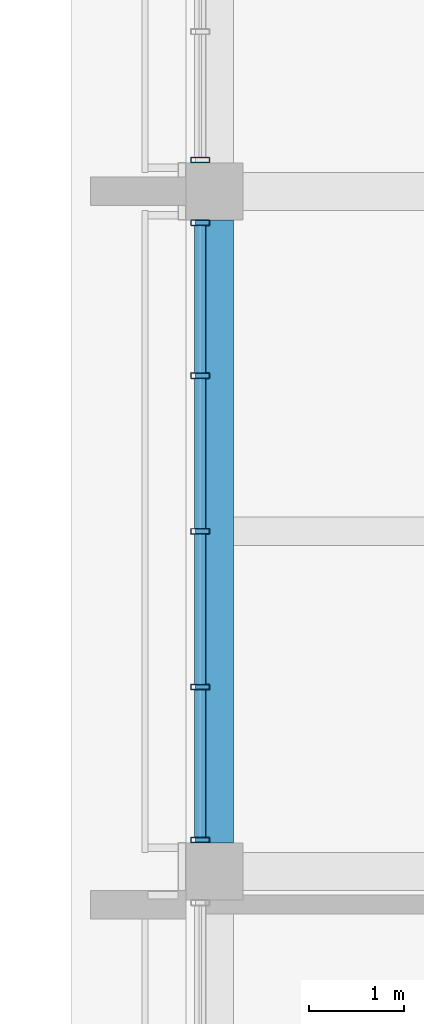
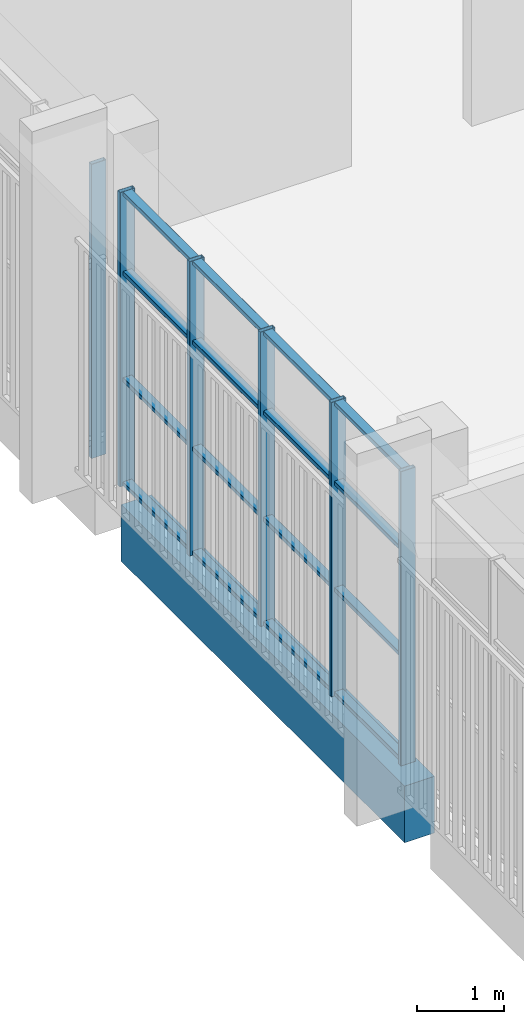
# One storey, part 41 of 125: 22 members, 1 beam, 2 elements without a shape of their own.
"""IFC4 building model written with IfcOpenShell, lengths in metres."""

import ifcopenshell
import ifcopenshell.guid

model = None  # the IFC model being written
_history = None  # IfcOwnerHistory: only IFC2X3 demands one
_inside = {}  # id of a spatial element -> (the spatial element, [elements in it])
_under = {}  # id of a project, library or spatial element -> (it, [spatial elements below it])
_declared = {}  # id of a project -> (the project, [libraries it declares])
_typed = {}  # id of a type object -> (the type object, [elements of that type])
_made_of = {}  # id of a material, layer set ... -> (it, [elements and type objects made of it])


def new_model(schema):
    """Start an empty IFC model of exactly this schema.

    Asked for "IFC4X3", IfcOpenShell would pick the latest addendum, in which some entities
    have other attributes; the version numbers below select the first issue.
    IFC2X3 requires an IfcOwnerHistory on every rooted entity: one is made here for all.
    """
    global model, _history
    if schema == "IFC4X3":
        model = ifcopenshell.file(schema_version=(4, 3, 0, 0))
    else:
        model = ifcopenshell.file(schema=schema)
    _inside.clear()
    _under.clear()
    _declared.clear()
    _typed.clear()
    _made_of.clear()
    _history = None
    if model.schema == "IFC2X3":
        org = make("IfcOrganization", Name="unknown")
        user = make(
            "IfcPersonAndOrganization",
            ThePerson=make("IfcPerson", FamilyName="unknown"),
            TheOrganization=org,
        )
        app = make(
            "IfcApplication",
            ApplicationDeveloper=org,
            Version="unknown",
            ApplicationFullName="unknown",
            ApplicationIdentifier="unknown",
        )
        _history = make(
            "IfcOwnerHistory",
            OwningUser=user,
            OwningApplication=app,
            ChangeAction="ADDED",
            CreationDate=0,
        )
    return model


def make(cls, **values):
    """One entity of the class cls with the attributes given. An attribute that is None is left unset."""
    return model.create_entity(
        cls, **{name: value for name, value in values.items() if value is not None}
    )


def rooted(cls, **values):
    """An entity with a GlobalId (a new one), such as an element, a storey or a relation."""
    return make(cls, GlobalId=ifcopenshell.guid.new(), OwnerHistory=_history, **values)


def si_unit(unit_type, name, prefix=None):
    """IfcSIUnit, for example si_unit("LENGTHUNIT", "METRE", prefix="MILLI")."""
    return make("IfcSIUnit", UnitType=unit_type, Prefix=prefix, Name=name)


def assignment(units):
    """IfcUnitAssignment: the units of a project."""
    return None if units is None else make("IfcUnitAssignment", Units=units)


def point(xyz):
    """IfcCartesianPoint."""
    return None if xyz is None else make("IfcCartesianPoint", Coordinates=xyz)


def direction(xyz):
    """IfcDirection."""
    return None if xyz is None else make("IfcDirection", DirectionRatios=xyz)


def frame(location, z_axis=None, x_axis=None):
    """IfcAxis2Placement3D, a coordinate frame: its origin and axes. An axis left out is left unset."""
    return make(
        "IfcAxis2Placement3D",
        Location=point(location),
        Axis=direction(z_axis),
        RefDirection=direction(x_axis),
    )


def frame_2d(location, x_axis=None):
    """IfcAxis2Placement2D, a coordinate frame in the plane: its origin and x axis."""
    return make(
        "IfcAxis2Placement2D", Location=point(location), RefDirection=direction(x_axis)
    )


def origin():
    """The frame at (0, 0, 0) with its axes left unset."""
    return frame((0.0, 0.0, 0.0))


def origin_2d():
    """The frame at (0, 0) in the plane with its x axis left unset."""
    return frame_2d((0.0, 0.0))


def place(relative_to, where):
    """IfcLocalPlacement: puts the frame where relative to a parent placement (None: the world)."""
    return make(
        "IfcLocalPlacement", PlacementRelTo=relative_to, RelativePlacement=where
    )


def context(
    kind, dimensions, precision=None, world=None, true_north=None, identifier=None
):
    """IfcGeometricRepresentationContext, for example the 3D "Model" context."""
    return make(
        "IfcGeometricRepresentationContext",
        ContextIdentifier=identifier,
        ContextType=kind,
        CoordinateSpaceDimension=dimensions,
        Precision=precision,
        WorldCoordinateSystem=world,
        TrueNorth=true_north,
    )


def subcontext(parent, identifier, kind, view, scale=None):
    """IfcGeometricRepresentationSubContext, for example "Body" below "Model"."""
    return make(
        "IfcGeometricRepresentationSubContext",
        ContextIdentifier=identifier,
        ContextType=kind,
        ParentContext=parent,
        TargetScale=scale,
        TargetView=view,
    )


def project(units=None, contexts=None):
    """IfcProject with its units and contexts."""
    return rooted(
        "IfcProject",
        Name="project",
        RepresentationContexts=contexts,
        UnitsInContext=assignment(units),
    )


def spatial(cls, under=None, at=None, **own):
    """A site, building, storey or space (cls), placed at a placement, below another one or the project."""
    s = rooted(cls, ObjectPlacement=at, **own)
    if under is not None:
        _under.setdefault(under.id(), (under, []))[1].append(s)
    return s


def profile(cls, at=None, kind="AREA", **sizes):
    """A parametric profile (cls). Its sizes go by their IFC names, for example OverallWidth=200.0."""
    return make(cls, ProfileType=kind, Position=at, **sizes)


def rectangle(**sizes):
    """IfcRectangleProfileDef."""
    return profile("IfcRectangleProfileDef", **sizes)


def hollow_rectangle(**sizes):
    """IfcRectangleHollowProfileDef."""
    return profile("IfcRectangleHollowProfileDef", **sizes)


def extrude(swept, where, along, depth):
    """IfcExtrudedAreaSolid: the profile swept, set in the frame where, extruded along a direction by depth."""
    return make(
        "IfcExtrudedAreaSolid",
        SweptArea=swept,
        Position=where,
        ExtrudedDirection=direction(along),
        Depth=depth,
    )


def shape(context_of_items, identifier, shape_type, items):
    """IfcShapeRepresentation: the items that make up one representation, for example the "Body"."""
    return make(
        "IfcShapeRepresentation",
        ContextOfItems=context_of_items,
        RepresentationIdentifier=identifier,
        RepresentationType=shape_type,
        Items=items,
    )


def material(Name=None, Category=None):
    """IfcMaterial."""
    return make("IfcMaterial", Name=Name, Category=Category)


def material_profile(
    of_material, cross_section, Name=None, Category=None, Priority=None
):
    """IfcMaterialProfile: a cross section and its material."""
    return make(
        "IfcMaterialProfile",
        Name=Name,
        Material=of_material,
        Profile=cross_section,
        Priority=Priority,
        Category=Category,
    )


def profile_set(profiles, Name=None, composite=None):
    """IfcMaterialProfileSet."""
    return make(
        "IfcMaterialProfileSet",
        Name=Name,
        MaterialProfiles=profiles,
        CompositeProfile=composite,
    )


def made_of(thing, what):
    """Note that an element or type object is made of a material, layer set ...; save() writes the relation."""
    if what is not None:
        _made_of.setdefault(what.id(), (what, []))[1].append(thing)
    return thing


def type_object(cls, material=None, **own):
    """A type object (cls), such as IfcWallType, which elements share."""
    return made_of(rooted(cls, **own), material)


def element(
    cls,
    number,
    at=None,
    inside=None,
    cuts=None,
    type_object=None,
    material=None,
    context=None,
    identifier="Body",
    shape_type=None,
    held_by="IfcProductDefinitionShape",
    body=None,
    shapes=None,
    **own,
):
    """One element of the class cls, such as IfcWall. Its Tag is "e" and its number.

    at: its placement. inside: the storey or other place that contains it. cuts: it is an
    opening in that element (IfcRelVoidsElement). A single representation is given by context,
    identifier, shape_type and body (its items); several are given by shapes. held_by: the class
    of the entity that holds the representations. save() writes the other relations.
    """
    e = rooted(cls, Tag="e%d" % number, ObjectPlacement=at, **own)
    if body is not None:
        shapes = [shape(context, identifier, shape_type, body)]
    if shapes is not None:
        e.Representation = make(held_by, Representations=shapes)
    if inside is not None:
        _inside.setdefault(inside.id(), (inside, []))[1].append(e)
    if cuts is not None:
        rooted(
            "IfcRelVoidsElement", RelatingBuildingElement=cuts, RelatedOpeningElement=e
        )
    if type_object is not None:
        _typed.setdefault(type_object.id(), (type_object, []))[1].append(e)
    return made_of(e, material)


def aggregate(whole, parts):
    """IfcRelAggregates: a whole, such as a stair, and the parts it consists of."""
    return rooted("IfcRelAggregates", RelatingObject=whole, RelatedObjects=parts)


def save(model, path):
    """Write the relations noted so far, then the file.

    IfcRelAggregates (storeys below a building ...), IfcRelContainedInSpatialStructure (elements
    in a storey), IfcRelDefinesByType, IfcRelAssociatesMaterial and IfcRelDeclares: one each for
    every whole, place, type object, material and project.
    """
    for whole, parts in _under.values():
        aggregate(whole, parts)
    for where, things in _inside.values():
        rooted(
            "IfcRelContainedInSpatialStructure",
            RelatedElements=things,
            RelatingStructure=where,
        )
    for kind, things in _typed.values():
        rooted("IfcRelDefinesByType", RelatedObjects=things, RelatingType=kind)
    for what, things in _made_of.values():
        rooted("IfcRelAssociatesMaterial", RelatedObjects=things, RelatingMaterial=what)
    for by, libraries in _declared.values():
        rooted("IfcRelDeclares", RelatingContext=by, RelatedDefinitions=libraries)
    model.write(path)


model = new_model("IFC4")

# Units and contexts
model_context = context("Model", 3, precision=1e-05, world=origin(), true_north=direction((0.0, 1.0)))
body_context = subcontext(model_context, "Body", "Model", "MODEL_VIEW")
ifc_project = project(units=[si_unit("LENGTHUNIT", "METRE"), si_unit("AREAUNIT", "SQUARE_METRE"), si_unit("VOLUMEUNIT", "CUBIC_METRE"), si_unit("PLANEANGLEUNIT", "RADIAN"), si_unit("MASSUNIT", "GRAM", prefix="KILO")], contexts=[model_context])

# Site, building, storey
site_placement = place(None, origin())
site = spatial("IfcSite", under=ifc_project, at=site_placement, CompositionType="ELEMENT")
building_placement = place(site_placement, origin())
building = spatial("IfcBuilding", under=site, at=building_placement, Name="Sun Court Science Centre", CompositionType="ELEMENT")
storey_placement = place(building_placement, frame((0.0, 0.0, 6.0)))
storey = spatial("IfcBuildingStorey", under=building, at=storey_placement, Name="L01", CompositionType="ELEMENT", Elevation=6.0)

# Curtain wall, members
ifc_material_1 = material(Name="Aluminium EN AW-6063 T6", Category="aluminium")
curtain_wall_type = type_object("IfcCurtainWallType", Name="Laboratory tall bay curtain wall 1500", PredefinedType="NOTDEFINED", material=ifc_material_1)
curtain_wall_1_placement = place(storey_placement, origin())
curtain_wall_1 = element("IfcCurtainWall", 1, at=curtain_wall_1_placement, inside=storey, type_object=curtain_wall_type, Name="Curtain wall V4 W L01 05", PredefinedType="NOTDEFINED")
ifc_material_2 = material(Name="Aluminium EN AW-6063 T6", Category="aluminium")
ifc_material_profile_1 = material_profile(ifc_material_2, hollow_rectangle(XDim=0.06005859375, YDim=0.199951171875, WallThickness=0.0048828125, InnerFilletRadius=0.0048828125, OuterFilletRadius=0.007568359375, at=origin_2d()), Name="AL 60x200x5")
ifc_profile_set_1 = profile_set([ifc_material_profile_1], Name="Aluminium EN AW-6063 T6")
member_type_1 = type_object("IfcMemberType", Name="Curtain wall mullion AL 60x200", PredefinedType="MULLION", material=ifc_profile_set_1)
member_1_placement = place(storey_placement, frame((78.14990234375, 44.179931640625, 0.0), z_axis=(0.0, 0.0, 1.0), x_axis=(0.0, 1.0, 0.0)))
member_1 = element("IfcMember", 2, at=member_1_placement, type_object=member_type_1, Name="CW2-14 mullion 1", PredefinedType="MULLION", context=body_context, shape_type="SweptSolid", body=[
    extrude(hollow_rectangle(XDim=0.06005859375, YDim=0.199951171875, WallThickness=0.0048828125, InnerFilletRadius=0.0048828125, OuterFilletRadius=0.007568359375, at=origin_2d()), origin(), (0.0, 0.0, 1.0), 4.14990234375),
])
member_2_placement = place(storey_placement, frame((78.14990234375, 45.78759765625, 0.0), z_axis=(0.0, 0.0, 1.0), x_axis=(0.0, 1.0, 0.0)))
member_2 = element("IfcMember", 3, at=member_2_placement, type_object=member_type_1, Name="CW2-14 mullion 2", PredefinedType="MULLION", context=body_context, shape_type="SweptSolid", body=[
    extrude(hollow_rectangle(XDim=0.06005859375, YDim=0.199951171875, WallThickness=0.0048828125, InnerFilletRadius=0.0048828125, OuterFilletRadius=0.007568359375, at=origin_2d()), origin(), (0.0, 0.0, 1.0), 4.14990234375),
])
member_3_placement = place(storey_placement, frame((78.14990234375, 47.425048828125, 0.0), z_axis=(0.0, 0.0, 1.0), x_axis=(0.0, 1.0, 0.0)))
member_3 = element("IfcMember", 4, at=member_3_placement, type_object=member_type_1, Name="CW2-14 mullion 3", PredefinedType="MULLION", context=body_context, shape_type="SweptSolid", body=[
    extrude(hollow_rectangle(XDim=0.06005859375, YDim=0.199951171875, WallThickness=0.0048828125, InnerFilletRadius=0.0048828125, OuterFilletRadius=0.007568359375, at=origin_2d()), origin(), (0.0, 0.0, 1.0), 4.14990234375),
])
member_4_placement = place(storey_placement, frame((78.14990234375, 49.0625, 0.0), z_axis=(0.0, 0.0, 1.0), x_axis=(0.0, 1.0, 0.0)))
member_4 = element("IfcMember", 5, at=member_4_placement, type_object=member_type_1, Name="CW2-14 mullion 4", PredefinedType="MULLION", context=body_context, shape_type="SweptSolid", body=[
    extrude(hollow_rectangle(XDim=0.06005859375, YDim=0.199951171875, WallThickness=0.0048828125, InnerFilletRadius=0.0048828125, OuterFilletRadius=0.007568359375, at=origin_2d()), origin(), (0.0, 0.0, 1.0), 4.14990234375),
])
member_5_placement = place(storey_placement, frame((78.14990234375, 50.669921875, 0.0), z_axis=(0.0, 0.0, 1.0), x_axis=(0.0, 1.0, 0.0)))
member_5 = element("IfcMember", 6, at=member_5_placement, type_object=member_type_1, Name="CW2-14 mullion 5", PredefinedType="MULLION", context=body_context, shape_type="SweptSolid", body=[
    extrude(hollow_rectangle(XDim=0.06005859375, YDim=0.199951171875, WallThickness=0.0048828125, InnerFilletRadius=0.0048828125, OuterFilletRadius=0.007568359375, at=origin_2d()), origin(), (0.0, 0.0, 1.0), 4.14990234375),
])

# Curtain wall, member
curtain_wall_2_placement = place(storey_placement, origin())
curtain_wall_2 = element("IfcCurtainWall", 7, at=curtain_wall_2_placement, inside=storey, type_object=curtain_wall_type, Name="Curtain wall V4 W L01 06", PredefinedType="NOTDEFINED")
member_6_placement = place(storey_placement, frame((78.14990234375, 51.330078125, 0.0), z_axis=(0.0, 0.0, 1.0), x_axis=(0.0, 1.0, 0.0)))
member_6 = element("IfcMember", 8, at=member_6_placement, type_object=member_type_1, Name="CW2-15 mullion 1", PredefinedType="MULLION", context=body_context, shape_type="SweptSolid", body=[
    extrude(hollow_rectangle(XDim=0.06005859375, YDim=0.199951171875, WallThickness=0.0048828125, InnerFilletRadius=0.0048828125, OuterFilletRadius=0.007568359375, at=origin_2d()), origin(), (0.0, 0.0, 1.0), 4.14990234375),
])
aggregate(curtain_wall_2, [member_6])

# Member
ifc_material_3 = material(Name="Aluminium EN AW-6063 T6", Category="aluminium")
ifc_material_profile_2 = material_profile(ifc_material_3, hollow_rectangle(XDim=0.06005859375, YDim=0.1201171875, WallThickness=0.00390625, InnerFilletRadius=0.00390625, OuterFilletRadius=0.006103515625, at=origin_2d()), Name="AL 60x120x4")
ifc_profile_set_2 = profile_set([ifc_material_profile_2], Name="Aluminium EN AW-6063 T6")
member_type_2 = type_object("IfcMemberType", Name="Curtain wall transom AL 60x120", PredefinedType="USERDEFINED", material=ifc_profile_set_2)
member_7_placement = place(storey_placement, frame((78.14990234375, 44.2099609375, 0.030029296875), z_axis=(0.0, 1.0, 0.0), x_axis=(0.0, 0.0, 1.0)))
member_7 = element("IfcMember", 9, at=member_7_placement, type_object=member_type_2, Name="CW2-14 transom 1.1", ObjectType="TRANSOM", PredefinedType="USERDEFINED", context=body_context, shape_type="SweptSolid", body=[
    extrude(hollow_rectangle(XDim=0.06005859375, YDim=0.1201171875, WallThickness=0.00390625, InnerFilletRadius=0.00390625, OuterFilletRadius=0.006103515625, at=origin_2d()), origin(), (0.0, 0.0, 1.0), 1.547607421875),
])

member_8_placement = place(storey_placement, frame((78.14990234375, 45.8173828125, 0.030029296875), z_axis=(0.0, 1.0, 0.0), x_axis=(0.0, 0.0, 1.0)))
member_8 = element("IfcMember", 10, at=member_8_placement, type_object=member_type_2, Name="CW2-14 transom 2.1", ObjectType="TRANSOM", PredefinedType="USERDEFINED", context=body_context, shape_type="SweptSolid", body=[
    extrude(hollow_rectangle(XDim=0.06005859375, YDim=0.1201171875, WallThickness=0.00390625, InnerFilletRadius=0.00390625, OuterFilletRadius=0.006103515625, at=origin_2d()), origin(), (0.0, 0.0, 1.0), 1.57763671875),
])

member_9_placement = place(storey_placement, frame((78.14990234375, 47.455078125, 0.030029296875), z_axis=(0.0, 1.0, 0.0), x_axis=(0.0, 0.0, 1.0)))
member_9 = element("IfcMember", 11, at=member_9_placement, type_object=member_type_2, Name="CW2-14 transom 3.1", ObjectType="TRANSOM", PredefinedType="USERDEFINED", context=body_context, shape_type="SweptSolid", body=[
    extrude(hollow_rectangle(XDim=0.06005859375, YDim=0.1201171875, WallThickness=0.00390625, InnerFilletRadius=0.00390625, OuterFilletRadius=0.006103515625, at=origin_2d()), origin(), (0.0, 0.0, 1.0), 1.577392578125),
])

member_10_placement = place(storey_placement, frame((78.14990234375, 49.092529296875, 0.030029296875), z_axis=(0.0, 1.0, 0.0), x_axis=(0.0, 0.0, 1.0)))
member_10 = element("IfcMember", 12, at=member_10_placement, type_object=member_type_2, Name="CW2-14 transom 4.1", ObjectType="TRANSOM", PredefinedType="USERDEFINED", context=body_context, shape_type="SweptSolid", body=[
    extrude(hollow_rectangle(XDim=0.06005859375, YDim=0.1201171875, WallThickness=0.00390625, InnerFilletRadius=0.00390625, OuterFilletRadius=0.006103515625, at=origin_2d()), origin(), (0.0, 0.0, 1.0), 1.54736328125),
])

member_11_placement = place(storey_placement, frame((78.14990234375, 44.2099609375, 1.5), z_axis=(0.0, 1.0, 0.0), x_axis=(0.0, 0.0, 1.0)))
member_11 = element("IfcMember", 13, at=member_11_placement, type_object=member_type_2, Name="CW2-14 transom 1.2", ObjectType="TRANSOM", PredefinedType="USERDEFINED", context=body_context, shape_type="SweptSolid", body=[
    extrude(hollow_rectangle(XDim=0.06005859375, YDim=0.1201171875, WallThickness=0.00390625, InnerFilletRadius=0.00390625, OuterFilletRadius=0.006103515625, at=origin_2d()), origin(), (0.0, 0.0, 1.0), 1.547607421875),
])

member_12_placement = place(storey_placement, frame((78.14990234375, 45.8173828125, 1.5), z_axis=(0.0, 1.0, 0.0), x_axis=(0.0, 0.0, 1.0)))
member_12 = element("IfcMember", 14, at=member_12_placement, type_object=member_type_2, Name="CW2-14 transom 2.2", ObjectType="TRANSOM", PredefinedType="USERDEFINED", context=body_context, shape_type="SweptSolid", body=[
    extrude(hollow_rectangle(XDim=0.06005859375, YDim=0.1201171875, WallThickness=0.00390625, InnerFilletRadius=0.00390625, OuterFilletRadius=0.006103515625, at=origin_2d()), origin(), (0.0, 0.0, 1.0), 1.57763671875),
])

member_13_placement = place(storey_placement, frame((78.14990234375, 47.455078125, 1.5), z_axis=(0.0, 1.0, 0.0), x_axis=(0.0, 0.0, 1.0)))
member_13 = element("IfcMember", 15, at=member_13_placement, type_object=member_type_2, Name="CW2-14 transom 3.2", ObjectType="TRANSOM", PredefinedType="USERDEFINED", context=body_context, shape_type="SweptSolid", body=[
    extrude(hollow_rectangle(XDim=0.06005859375, YDim=0.1201171875, WallThickness=0.00390625, InnerFilletRadius=0.00390625, OuterFilletRadius=0.006103515625, at=origin_2d()), origin(), (0.0, 0.0, 1.0), 1.577392578125),
])

member_14_placement = place(storey_placement, frame((78.14990234375, 49.092529296875, 1.5), z_axis=(0.0, 1.0, 0.0), x_axis=(0.0, 0.0, 1.0)))
member_14 = element("IfcMember", 16, at=member_14_placement, type_object=member_type_2, Name="CW2-14 transom 4.2", ObjectType="TRANSOM", PredefinedType="USERDEFINED", context=body_context, shape_type="SweptSolid", body=[
    extrude(hollow_rectangle(XDim=0.06005859375, YDim=0.1201171875, WallThickness=0.00390625, InnerFilletRadius=0.00390625, OuterFilletRadius=0.006103515625, at=origin_2d()), origin(), (0.0, 0.0, 1.0), 1.54736328125),
])

member_15_placement = place(storey_placement, frame((78.14990234375, 44.2099609375, 3.0), z_axis=(0.0, 1.0, 0.0), x_axis=(0.0, 0.0, 1.0)))
member_15 = element("IfcMember", 17, at=member_15_placement, type_object=member_type_2, Name="CW2-14 transom 1.3", ObjectType="TRANSOM", PredefinedType="USERDEFINED", context=body_context, shape_type="SweptSolid", body=[
    extrude(hollow_rectangle(XDim=0.06005859375, YDim=0.1201171875, WallThickness=0.00390625, InnerFilletRadius=0.00390625, OuterFilletRadius=0.006103515625, at=origin_2d()), origin(), (0.0, 0.0, 1.0), 1.547607421875),
])

member_16_placement = place(storey_placement, frame((78.14990234375, 45.8173828125, 3.0), z_axis=(0.0, 1.0, 0.0), x_axis=(0.0, 0.0, 1.0)))
member_16 = element("IfcMember", 18, at=member_16_placement, type_object=member_type_2, Name="CW2-14 transom 2.3", ObjectType="TRANSOM", PredefinedType="USERDEFINED", context=body_context, shape_type="SweptSolid", body=[
    extrude(hollow_rectangle(XDim=0.06005859375, YDim=0.1201171875, WallThickness=0.00390625, InnerFilletRadius=0.00390625, OuterFilletRadius=0.006103515625, at=origin_2d()), origin(), (0.0, 0.0, 1.0), 1.57763671875),
])

member_17_placement = place(storey_placement, frame((78.14990234375, 47.455078125, 3.0), z_axis=(0.0, 1.0, 0.0), x_axis=(0.0, 0.0, 1.0)))
member_17 = element("IfcMember", 19, at=member_17_placement, type_object=member_type_2, Name="CW2-14 transom 3.3", ObjectType="TRANSOM", PredefinedType="USERDEFINED", context=body_context, shape_type="SweptSolid", body=[
    extrude(hollow_rectangle(XDim=0.06005859375, YDim=0.1201171875, WallThickness=0.00390625, InnerFilletRadius=0.00390625, OuterFilletRadius=0.006103515625, at=origin_2d()), origin(), (0.0, 0.0, 1.0), 1.577392578125),
])

member_18_placement = place(storey_placement, frame((78.14990234375, 49.092529296875, 3.0), z_axis=(0.0, 1.0, 0.0), x_axis=(0.0, 0.0, 1.0)))
member_18 = element("IfcMember", 20, at=member_18_placement, type_object=member_type_2, Name="CW2-14 transom 4.3", ObjectType="TRANSOM", PredefinedType="USERDEFINED", context=body_context, shape_type="SweptSolid", body=[
    extrude(hollow_rectangle(XDim=0.06005859375, YDim=0.1201171875, WallThickness=0.00390625, InnerFilletRadius=0.00390625, OuterFilletRadius=0.006103515625, at=origin_2d()), origin(), (0.0, 0.0, 1.0), 1.54736328125),
])

member_19_placement = place(storey_placement, frame((78.14990234375, 44.2099609375, 4.1201171875), z_axis=(0.0, 1.0, 0.0), x_axis=(0.0, 0.0, 1.0)))
member_19 = element("IfcMember", 21, at=member_19_placement, type_object=member_type_2, Name="CW2-14 transom 1.4", ObjectType="TRANSOM", PredefinedType="USERDEFINED", context=body_context, shape_type="SweptSolid", body=[
    extrude(hollow_rectangle(XDim=0.06005859375, YDim=0.1201171875, WallThickness=0.00390625, InnerFilletRadius=0.00390625, OuterFilletRadius=0.006103515625, at=origin_2d()), origin(), (0.0, 0.0, 1.0), 1.547607421875),
])

member_20_placement = place(storey_placement, frame((78.14990234375, 45.8173828125, 4.1201171875), z_axis=(0.0, 1.0, 0.0), x_axis=(0.0, 0.0, 1.0)))
member_20 = element("IfcMember", 22, at=member_20_placement, type_object=member_type_2, Name="CW2-14 transom 2.4", ObjectType="TRANSOM", PredefinedType="USERDEFINED", context=body_context, shape_type="SweptSolid", body=[
    extrude(hollow_rectangle(XDim=0.06005859375, YDim=0.1201171875, WallThickness=0.00390625, InnerFilletRadius=0.00390625, OuterFilletRadius=0.006103515625, at=origin_2d()), origin(), (0.0, 0.0, 1.0), 1.57763671875),
])

member_21_placement = place(storey_placement, frame((78.14990234375, 47.455078125, 4.1201171875), z_axis=(0.0, 1.0, 0.0), x_axis=(0.0, 0.0, 1.0)))
member_21 = element("IfcMember", 23, at=member_21_placement, type_object=member_type_2, Name="CW2-14 transom 3.4", ObjectType="TRANSOM", PredefinedType="USERDEFINED", context=body_context, shape_type="SweptSolid", body=[
    extrude(hollow_rectangle(XDim=0.06005859375, YDim=0.1201171875, WallThickness=0.00390625, InnerFilletRadius=0.00390625, OuterFilletRadius=0.006103515625, at=origin_2d()), origin(), (0.0, 0.0, 1.0), 1.577392578125),
])

member_22_placement = place(storey_placement, frame((78.14990234375, 49.092529296875, 4.1201171875), z_axis=(0.0, 1.0, 0.0), x_axis=(0.0, 0.0, 1.0)))
member_22 = element("IfcMember", 24, at=member_22_placement, type_object=member_type_2, Name="CW2-14 transom 4.4", ObjectType="TRANSOM", PredefinedType="USERDEFINED", context=body_context, shape_type="SweptSolid", body=[
    extrude(hollow_rectangle(XDim=0.06005859375, YDim=0.1201171875, WallThickness=0.00390625, InnerFilletRadius=0.00390625, OuterFilletRadius=0.006103515625, at=origin_2d()), origin(), (0.0, 0.0, 1.0), 1.54736328125),
])

aggregate(curtain_wall_1, [member_1, member_2, member_3, member_4, member_5, member_7, member_8, member_9, member_10, member_11, member_12, member_13, member_14, member_15, member_16, member_17, member_18, member_19, member_20, member_21, member_22])

# Beam
ifc_material_4 = material(Name="Concrete C25/30", Category="concrete")
ifc_material_profile_3 = material_profile(ifc_material_4, rectangle(XDim=0.39990234375, YDim=0.800048828125, at=origin_2d()), Name="RC 400x800")
ifc_profile_set_3 = profile_set([ifc_material_profile_3], Name="Concrete C25/30")
beam_type = type_object("IfcBeamType", Name="RC girder 400x800", PredefinedType="BEAM", material=ifc_profile_set_3)
beam_placement = place(storey_placement, frame((78.300048828125, 44.14990234375, -0.699951171875), z_axis=(0.0, 1.0, 0.0), x_axis=(-1.0, 0.0, 0.0)))
element("IfcBeam", 25, at=beam_placement, inside=storey, type_object=beam_type, Name="Girder L01 line 1", PredefinedType="BEAM", context=body_context, shape_type="SweptSolid", body=[
    extrude(rectangle(XDim=0.39990234375, YDim=0.800048828125, at=origin_2d()), origin(), (0.0, 0.0, 1.0), 6.550048828125),
])

save(model, "model.ifc")
